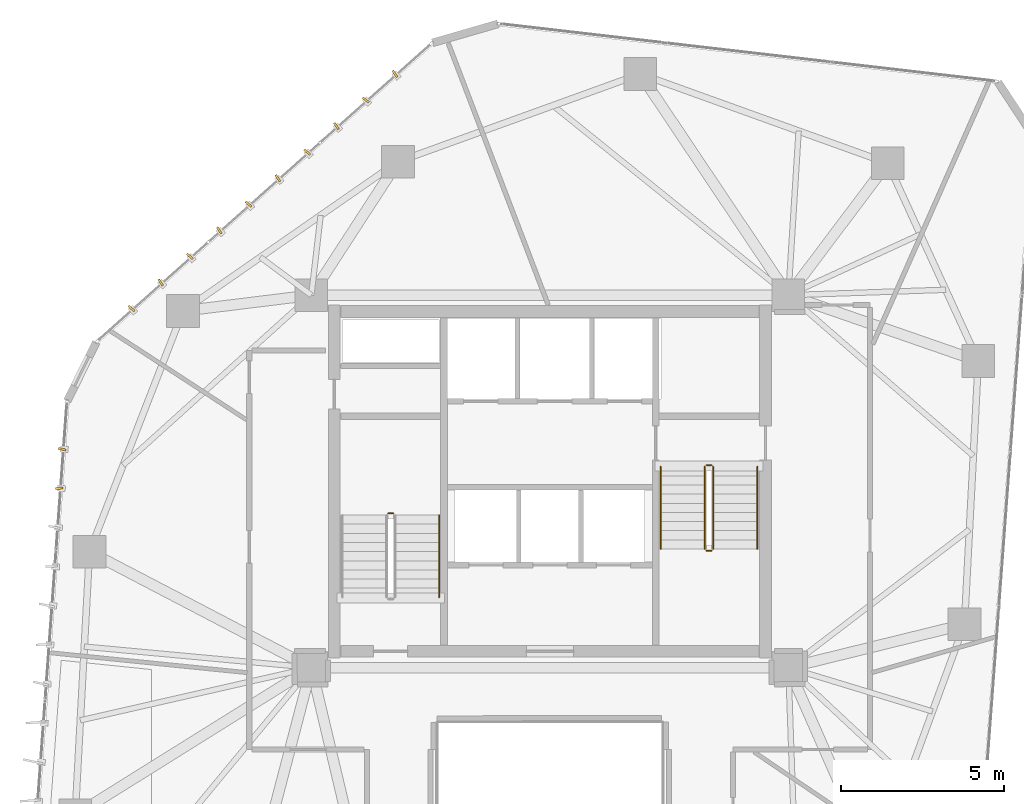
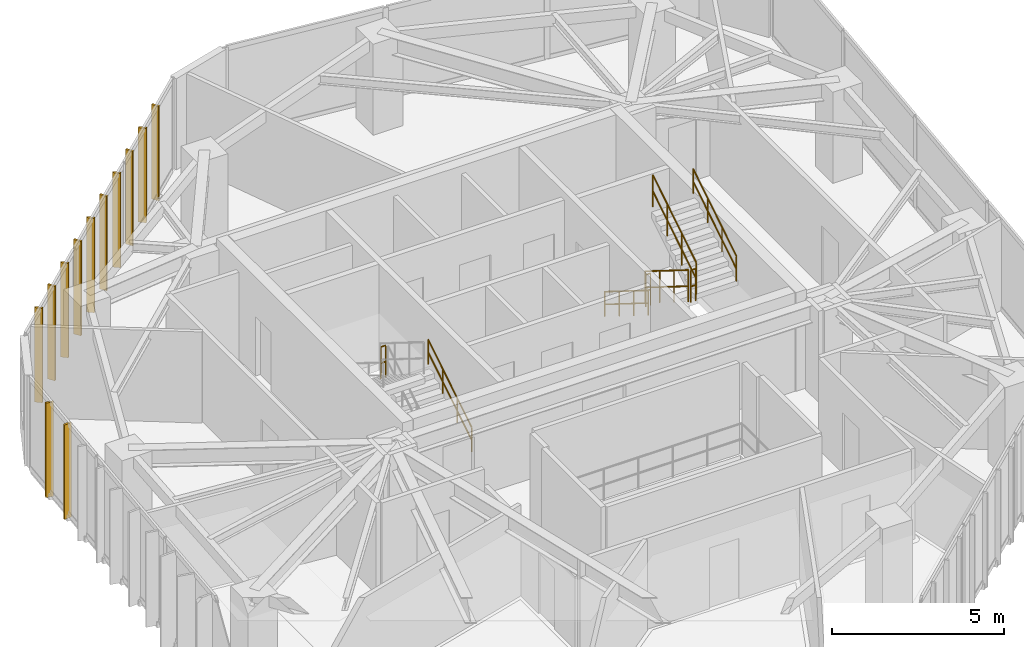
# One storey, part 19 of 19: 12 shading devices, 8 railings.
"""IFC4 building model written with IfcOpenShell, lengths in metres."""

from ifc_helpers import new_model, si_unit, direction, frame, origin, origin_2d, place, context, subcontext, project, spatial, rectangle, circle, extrude, source, transform, mapped, material, layer, layer_set, type_object, type_shapes, element, save


model = new_model("IFC4")

# Units and contexts
model_context = context("Model", 3, precision=1e-05, world=origin(), true_north=direction((0.0, 1.0)))
body_context = subcontext(model_context, "Body", "Model", "MODEL_VIEW")
ifc_project = project(units=[si_unit("LENGTHUNIT", "METRE"), si_unit("AREAUNIT", "SQUARE_METRE"), si_unit("VOLUMEUNIT", "CUBIC_METRE"), si_unit("PLANEANGLEUNIT", "RADIAN"), si_unit("MASSUNIT", "GRAM", prefix="KILO")], contexts=[model_context])

# Site, building, storey
site_placement = place(None, origin())
site = spatial("IfcSite", under=ifc_project, at=site_placement, CompositionType="ELEMENT")
building_placement = place(site_placement, origin())
building = spatial("IfcBuilding", under=site, at=building_placement, Name="Talar Marvaseh", CompositionType="ELEMENT")
storey_placement = place(building_placement, frame((0.0, 0.0, 222.199951171875)))
storey = spatial("IfcBuildingStorey", under=building, at=storey_placement, Name="L58", CompositionType="ELEMENT", Elevation=222.199951171875)

# Railings
ifc_material_1 = material(Name="Stainless Steel Grade 316", Category="steel")
railing_type_1 = type_object("IfcRailingType", Name="Brushed Stainless Wall Pitch Handrail 900", PredefinedType="HANDRAIL", material=ifc_material_1)
railing_1_placement = place(storey_placement, frame((22.610107421875, 27.64990234375, 0.175048828125)))
element("IfcRailing", 1, at=railing_1_placement, inside=storey, type_object=railing_type_1, Name="L58 ST-1 stair handrail 1", PredefinedType="HANDRAIL", context=body_context, shape_type="SweptSolid", body=[
    extrude(circle(Radius=0.02392578125, at=origin_2d()), frame((0.0, 0.0, 0.8759765625), z_axis=(0.0, 0.848007534815, 0.529984170421), x_axis=(-1.0, 0.0, 0.0)), (0.0, 0.0, 1.0), 2.9716796875),
    extrude(circle(Radius=0.02392578125, at=origin_2d()), frame((0.0, 0.0, 0.42578125), z_axis=(0.0, 0.848007534815, 0.529984170421), x_axis=(-1.0, 0.0, 0.0)), (0.0, 0.0, 1.0), 2.9716796875),
    extrude(circle(Radius=0.02099609375, at=origin_2d()), origin(), (0.0, 0.0, 1.0), 0.851806640625),
    extrude(circle(Radius=0.02099609375, at=origin_2d()), frame((0.0, 0.840087890625, 0.52490234375)), (0.0, 0.0, 1.0), 0.851806640625),
    extrude(circle(Radius=0.02099609375, at=origin_2d()), frame((0.0, 1.679931640625, 1.050048828125)), (0.0, 0.0, 1.0), 0.851806640625),
    extrude(circle(Radius=0.02099609375, at=origin_2d()), frame((0.0, 2.52001953125, 1.574951171875)), (0.0, 0.0, 1.0), 0.851806640625),
])
railing_2_placement = place(storey_placement, frame((29.389892578125, 31.64990234375, 0.175048828125)))
element("IfcRailing", 2, at=railing_2_placement, inside=storey, type_object=railing_type_1, Name="L58 ST-2 stair handrail 1", PredefinedType="HANDRAIL", context=body_context, shape_type="SweptSolid", body=[
    extrude(circle(Radius=0.02392578125, at=origin_2d()), frame((0.0, 0.0, 0.8759765625), z_axis=(0.0, -0.848007534815, 0.529984170421), x_axis=(1.0, 0.0, 0.0)), (0.0, 0.0, 1.0), 2.9716796875),
    extrude(circle(Radius=0.02392578125, at=origin_2d()), frame((0.0, 0.0, 0.42578125), z_axis=(0.0, -0.848007534815, 0.529984170421), x_axis=(1.0, 0.0, 0.0)), (0.0, 0.0, 1.0), 2.9716796875),
    extrude(circle(Radius=0.02099609375, at=origin_2d()), origin(), (0.0, 0.0, 1.0), 0.851806640625),
    extrude(circle(Radius=0.02099609375, at=origin_2d()), frame((0.0, -0.840087890625, 0.52490234375)), (0.0, 0.0, 1.0), 0.851806640625),
    extrude(circle(Radius=0.02099609375, at=origin_2d()), frame((0.0, -1.679931640625, 1.050048828125)), (0.0, 0.0, 1.0), 0.851806640625),
    extrude(circle(Radius=0.02099609375, at=origin_2d()), frame((0.0, -2.52001953125, 1.574951171875)), (0.0, 0.0, 1.0), 0.851806640625),
])
railing_3_placement = place(storey_placement, frame((32.35009765625, 29.1298828125, 1.925048828125)))
element("IfcRailing", 3, at=railing_3_placement, inside=storey, type_object=railing_type_1, Name="L58 ST-2 stair handrail 2", PredefinedType="HANDRAIL", context=body_context, shape_type="SweptSolid", body=[
    extrude(circle(Radius=0.02392578125, at=origin_2d()), frame((0.0, 0.0, 0.8759765625), z_axis=(0.0, 0.848007534815, 0.529984170421), x_axis=(-1.0, 0.0, 0.0)), (0.0, 0.0, 1.0), 2.9716796875),
    extrude(circle(Radius=0.02392578125, at=origin_2d()), frame((0.0, 0.0, 0.42578125), z_axis=(0.0, 0.848007534815, 0.529984170421), x_axis=(-1.0, 0.0, 0.0)), (0.0, 0.0, 1.0), 2.9716796875),
    extrude(circle(Radius=0.02099609375, at=origin_2d()), origin(), (0.0, 0.0, 1.0), 0.851806640625),
    extrude(circle(Radius=0.02099609375, at=origin_2d()), frame((0.0, 0.840087890625, 0.52490234375)), (0.0, 0.0, 1.0), 0.851806640625),
    extrude(circle(Radius=0.02099609375, at=origin_2d()), frame((0.0, 1.679931640625, 1.050048828125)), (0.0, 0.0, 1.0), 0.851806640625),
    extrude(circle(Radius=0.02099609375, at=origin_2d()), frame((0.0, 2.52001953125, 1.574951171875)), (0.0, 0.0, 1.0), 0.851806640625),
])
railing_type_2 = type_object("IfcRailingType", Name="Painted Steel Core Stair Well Guardrail 1150", PredefinedType="GUARDRAIL", material=ifc_material_1)
railing_4_placement = place(storey_placement, frame((21.2099609375, 30.219970703125, 1.75)))
element("IfcRailing", 4, at=railing_4_placement, inside=storey, type_object=railing_type_2, Name="L58 ST-1 stair guard 2", PredefinedType="GUARDRAIL", context=body_context, shape_type="SweptSolid", body=[
    extrude(circle(Radius=0.02392578125, at=origin_2d()), frame((0.0, 0.0, 1.1259765625), z_axis=(-1.0, 0.0, 0.0), x_axis=(0.0, -1.0, 0.0)), (0.0, 0.0, 1.0), 0.159912109375),
    extrude(circle(Radius=0.02392578125, at=origin_2d()), frame((0.0, 0.0, 0.55078125), z_axis=(-1.0, 0.0, 0.0), x_axis=(0.0, -1.0, 0.0)), (0.0, 0.0, 1.0), 0.159912109375),
    extrude(circle(Radius=0.02099609375, at=origin_2d()), origin(), (0.0, 0.0, 1.0), 1.101806640625),
    extrude(circle(Radius=0.02099609375, at=origin_2d()), frame((-0.159912109375, 0.0, 0.0)), (0.0, 0.0, 1.0), 1.101806640625),
])
railing_5_placement = place(storey_placement, frame((30.739990234375, 31.64990234375, 0.175048828125)))
element("IfcRailing", 5, at=railing_5_placement, inside=storey, type_object=railing_type_2, Name="L58 ST-2 stair guard 1", PredefinedType="GUARDRAIL", context=body_context, shape_type="SweptSolid", body=[
    extrude(circle(Radius=0.02392578125, at=origin_2d()), frame((0.0, 0.0, 1.1259765625), z_axis=(0.0, -0.848007534815, 0.529984170421), x_axis=(1.0, 0.0, 0.0)), (0.0, 0.0, 1.0), 2.9716796875),
    extrude(circle(Radius=0.02392578125, at=origin_2d()), frame((0.0, 0.0, 0.55078125), z_axis=(0.0, -0.848007534815, 0.529984170421), x_axis=(1.0, 0.0, 0.0)), (0.0, 0.0, 1.0), 2.9716796875),
    extrude(circle(Radius=0.02099609375, at=origin_2d()), origin(), (0.0, 0.0, 1.0), 1.101806640625),
    extrude(circle(Radius=0.02099609375, at=origin_2d()), frame((0.0, -0.840087890625, 0.52490234375)), (0.0, 0.0, 1.0), 1.101806640625),
    extrude(circle(Radius=0.02099609375, at=origin_2d()), frame((0.0, -1.679931640625, 1.050048828125)), (0.0, 0.0, 1.0), 1.101806640625),
    extrude(circle(Radius=0.02099609375, at=origin_2d()), frame((0.0, -2.52001953125, 1.574951171875)), (0.0, 0.0, 1.0), 1.101806640625),
])
railing_6_placement = place(storey_placement, frame((30.7900390625, 29.080078125, 1.75)))
element("IfcRailing", 6, at=railing_6_placement, inside=storey, type_object=railing_type_2, Name="L58 ST-2 stair guard 2", PredefinedType="GUARDRAIL", context=body_context, shape_type="SweptSolid", body=[
    extrude(circle(Radius=0.02392578125, at=origin_2d()), frame((0.0, 0.0, 1.1259765625), z_axis=(1.0, 0.0, 0.0), x_axis=(0.0, 1.0, 0.0)), (0.0, 0.0, 1.0), 0.159912109375),
    extrude(circle(Radius=0.02392578125, at=origin_2d()), frame((0.0, 0.0, 0.55078125), z_axis=(1.0, 0.0, 0.0), x_axis=(0.0, 1.0, 0.0)), (0.0, 0.0, 1.0), 0.159912109375),
    extrude(circle(Radius=0.02099609375, at=origin_2d()), origin(), (0.0, 0.0, 1.0), 1.101806640625),
    extrude(circle(Radius=0.02099609375, at=origin_2d()), frame((0.159912109375, 0.0, 0.0)), (0.0, 0.0, 1.0), 1.101806640625),
])
railing_7_placement = place(storey_placement, frame((31.0, 29.1298828125, 1.925048828125)))
element("IfcRailing", 7, at=railing_7_placement, inside=storey, type_object=railing_type_2, Name="L58 ST-2 stair guard 3", PredefinedType="GUARDRAIL", context=body_context, shape_type="SweptSolid", body=[
    extrude(circle(Radius=0.02392578125, at=origin_2d()), frame((0.0, 0.0, 1.1259765625), z_axis=(0.0, 0.848007534815, 0.529984170421), x_axis=(-1.0, 0.0, 0.0)), (0.0, 0.0, 1.0), 2.9716796875),
    extrude(circle(Radius=0.02392578125, at=origin_2d()), frame((0.0, 0.0, 0.55078125), z_axis=(0.0, 0.848007534815, 0.529984170421), x_axis=(-1.0, 0.0, 0.0)), (0.0, 0.0, 1.0), 2.9716796875),
    extrude(circle(Radius=0.02099609375, at=origin_2d()), origin(), (0.0, 0.0, 1.0), 1.101806640625),
    extrude(circle(Radius=0.02099609375, at=origin_2d()), frame((0.0, 0.840087890625, 0.52490234375)), (0.0, 0.0, 1.0), 1.101806640625),
    extrude(circle(Radius=0.02099609375, at=origin_2d()), frame((0.0, 1.679931640625, 1.050048828125)), (0.0, 0.0, 1.0), 1.101806640625),
    extrude(circle(Radius=0.02099609375, at=origin_2d()), frame((0.0, 2.52001953125, 1.574951171875)), (0.0, 0.0, 1.0), 1.101806640625),
])
railing_8_placement = place(storey_placement, frame((30.7900390625, 31.699951171875, 0.0)))
element("IfcRailing", 8, at=railing_8_placement, inside=storey, type_object=railing_type_2, Name="L58 ST-2 stair guard 4", PredefinedType="GUARDRAIL", context=body_context, shape_type="SweptSolid", body=[
    extrude(circle(Radius=0.02392578125, at=origin_2d()), frame((0.0, 0.0, 1.1259765625), z_axis=(1.0, 0.0, 0.0), x_axis=(0.0, 1.0, 0.0)), (0.0, 0.0, 1.0), 0.159912109375),
    extrude(circle(Radius=0.02392578125, at=origin_2d()), frame((0.0, 0.0, 0.55078125), z_axis=(1.0, 0.0, 0.0), x_axis=(0.0, 1.0, 0.0)), (0.0, 0.0, 1.0), 0.159912109375),
    extrude(circle(Radius=0.02099609375, at=origin_2d()), origin(), (0.0, 0.0, 1.0), 1.101806640625),
    extrude(circle(Radius=0.02099609375, at=origin_2d()), frame((0.159912109375, 0.0, 0.0)), (0.0, 0.0, 1.0), 1.101806640625),
])

# Shading devices
ifc_material_2 = material(Name="Anodised Champagne Bronze Aluminium", Category="aluminium")
ifc_layer = layer(ifc_material_2, 0.06494140625)
ifc_layer_set = layer_set([ifc_layer], Name="Anodised Champagne Bronze Aluminium")
shading_device_type = type_object("IfcShadingDeviceType", Name="Sawtooth Champagne Bronze Vertical Fin 240", PredefinedType="USERDEFINED", material=ifc_layer_set)
shared_shape = source(origin(), body_context, "Body", "SweptSolid", [
    extrude(rectangle(XDim=0.239990234375, YDim=0.06494140625, at=origin_2d()), origin(), (0.0, 0.0, 1.0), 3.35009765625),
])
type_shapes(shading_device_type, [shared_shape])
for number, where, z_axis, x_axis, name in (
    (9, (10.984130859375, 30.98974609375, -0.1201171875), (0.0, 0.0, 1.0), (-0.997778273548, -0.066622194773, 0.0), "L58 Sawtooth Vertical Solar Fin"),
    (10, (11.071533203125, 32.1865234375, -0.1201171875), (0.0, 0.0, 1.0), (-0.977489601007, 0.210983601077, 0.0), "L58 Sawtooth Vertical Solar Fin"),
    (11, (13.194091796875, 36.490478515625, -0.1201171875), (0.0, 0.0, 1.0), (-0.762442511011, 0.647055961569, 0.0), "L58 Sawtooth Vertical Solar Fin"),
    (12, (14.09033203125, 37.28857421875, -0.1201171875), (0.0, 0.0, 1.0), (-0.554553986878, 0.832147748683, 0.0), "L58 Sawtooth Vertical Solar Fin"),
    (13, (14.986572265625, 38.08642578125, -0.1201171875), (0.0, 0.0, 1.0), (-0.762442511011, 0.647055961569, 0.0), "L58 Sawtooth Vertical Solar Fin"),
    (14, (15.8828125, 38.884521484375, -0.1201171875), (0.0, 0.0, 1.0), (-0.554553986878, 0.832147748683, 0.0), "L58 Sawtooth Vertical Solar Fin"),
    (15, (16.77880859375, 39.6826171875, -0.1201171875), (0.0, 0.0, 1.0), (-0.762442511011, 0.647055961569, 0.0), "L58 Sawtooth Vertical Solar Fin"),
    (16, (17.675048828125, 40.48046875, -0.1201171875), (0.0, 0.0, 1.0), (-0.554553986878, 0.832147748683, 0.0), "L58 Sawtooth Vertical Solar Fin"),
    (17, (18.5712890625, 41.278564453125, -0.1201171875), (0.0, 0.0, 1.0), (-0.762442511011, 0.647055961569, 0.0), "L58 Sawtooth Vertical Solar Fin"),
    (18, (19.467529296875, 42.076416015625, -0.1201171875), (0.0, 0.0, 1.0), (-0.554553986878, 0.832147748683, 0.0), "L58 Sawtooth Vertical Solar Fin"),
    (19, (20.36376953125, 42.87451171875, -0.1201171875), (0.0, 0.0, 1.0), (-0.762442511011, 0.647055961569, 0.0), "L58 Sawtooth Vertical Solar Fin"),
    (20, (21.260009765625, 43.672607421875, -0.1201171875), (0.0, 0.0, 1.0), (-0.554553986878, 0.832147748683, 0.0), "L58 Sawtooth Vertical Solar Fin"),
):
    element("IfcShadingDevice", number, at=place(storey_placement, frame(where, z_axis=z_axis, x_axis=x_axis)), inside=storey, type_object=shading_device_type, Name=name, ObjectType="FIN", PredefinedType="USERDEFINED", context=body_context, shape_type="MappedRepresentation", body=[
        mapped(shared_shape, transform((0.0, 0.0, 0.0), x_axis=(1.0, 0.0, 0.0), y_axis=(0.0, 1.0, 0.0), z_axis=(0.0, 0.0, 1.0), scale=1.0)),
    ])

save(model, "model.ifc")
